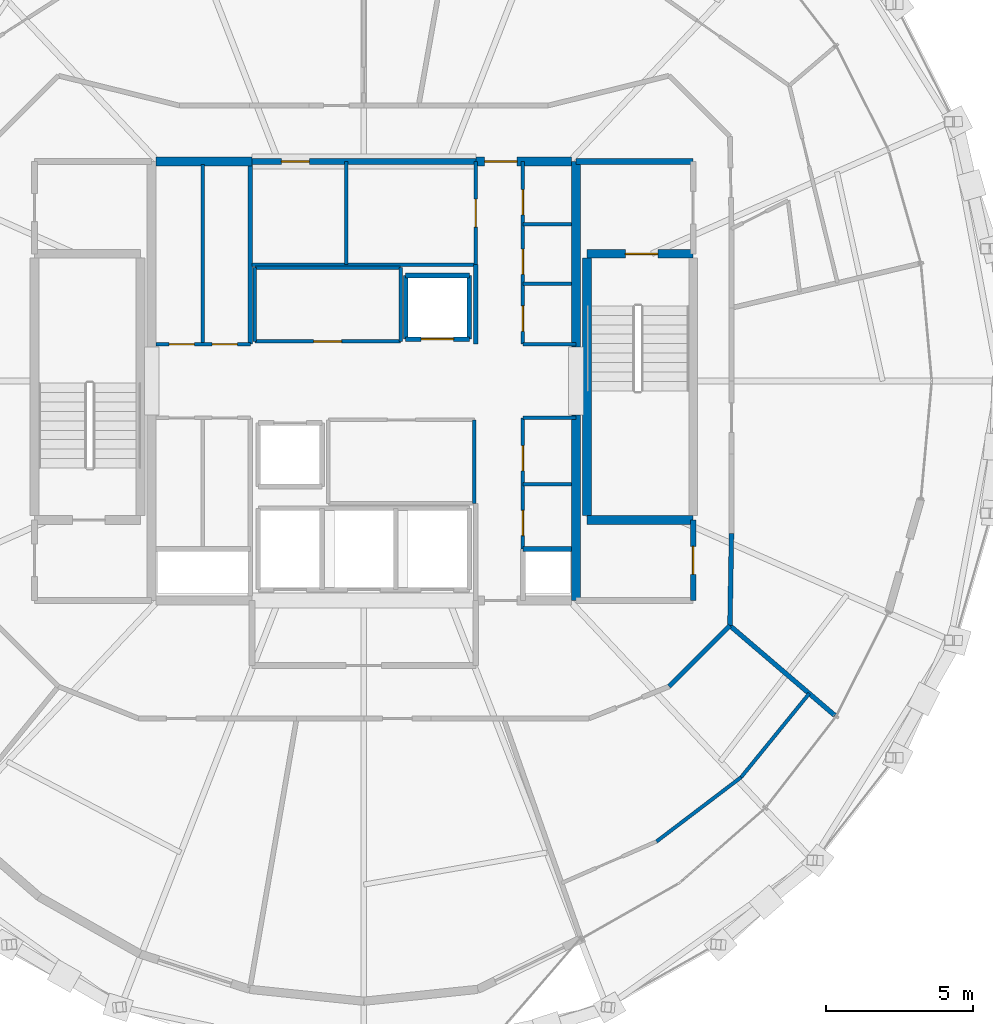
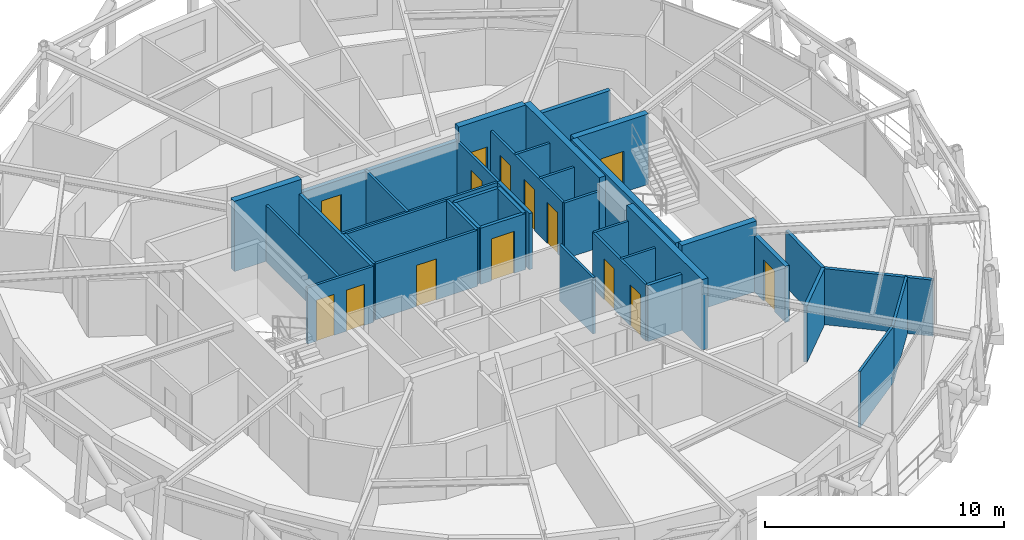
# One storey, part 12 of 15: 39 walls, 14 doors, 14 openings.
"""IFC4 building model written with IfcOpenShell, lengths in metres."""

from ifc_helpers import new_model, si_unit, direction, frame, frame_2d, origin, place, context, subcontext, project, spatial, rectangle, extrude, material, layer, layer_set, type_object, element, fill, save


model = new_model("IFC4")

# Units and contexts
model_context = context("Model", 3, precision=1e-05, world=origin(), true_north=direction((0.0, 1.0)))
body_context = subcontext(model_context, "Body", "Model", "MODEL_VIEW")
ifc_project = project(units=[si_unit("LENGTHUNIT", "METRE"), si_unit("AREAUNIT", "SQUARE_METRE"), si_unit("VOLUMEUNIT", "CUBIC_METRE"), si_unit("PLANEANGLEUNIT", "RADIAN"), si_unit("MASSUNIT", "GRAM", prefix="KILO")], contexts=[model_context])

# Site, building, storey
site_placement = place(None, origin())
site = spatial("IfcSite", under=ifc_project, at=site_placement, CompositionType="ELEMENT")
building_placement = place(site_placement, origin())
building = spatial("IfcBuilding", under=site, at=building_placement, Name="Veldorina Hangang Commons", CompositionType="ELEMENT")
storey_placement = place(building_placement, frame((0.0, 0.0, 265.199951171875)))
storey = spatial("IfcBuildingStorey", under=building, at=storey_placement, Name="L69", CompositionType="ELEMENT", Elevation=265.199951171875)

# Walls
ifc_material_1 = material(Name="Concrete C50/60", Category="concrete")
ifc_layer_1 = layer(ifc_material_1, 0.300048828125)
ifc_layer_set_1 = layer_set([ifc_layer_1], Name="Concrete C50/60")
wall_type_1 = type_object("IfcWallType", Name="CW-RC300-C50", PredefinedType="SHEAR", material=ifc_layer_set_1)
for number, where, z_axis, x_axis, name in (
    (1, (39.199951171875, 16.550048828125, 0.0), (0.0, 0.0, 1.0), (0.0, 1.0, 0.0), "L69 E south core shear wall"),
    (2, (39.199951171875, 25.14990234375, 0.0), (0.0, 0.0, 1.0), (0.0, 1.0, 0.0), "L69 E north core shear wall"),
):
    element("IfcWall", number, at=place(storey_placement, frame(where, z_axis=z_axis, x_axis=x_axis)), inside=storey, type_object=wall_type_1, Name=name, PredefinedType="SHEAR", context=body_context, shape_type="SweptSolid", body=[
        extrude(rectangle(XDim=6.300048828125, YDim=0.300048828125, at=frame_2d((3.14990234375, 0.0))), origin(), (0.0, 0.0, 1.0), 3.60009765625),
    ])
wall_1_placement = place(storey_placement, frame((24.949951171875, 31.449951171875, 0.0), z_axis=(0.0, 0.0, 1.0), x_axis=(1.0, 0.0, 0.0)))
element("IfcWall", 3, at=wall_1_placement, inside=storey, type_object=wall_type_1, Name="L69 north-west core shear wall", PredefinedType="SHEAR", context=body_context, shape_type="SweptSolid", body=[
    extrude(rectangle(XDim=3.25, YDim=0.300048828125, at=frame_2d((1.625, 0.0))), origin(), (0.0, 0.0, 1.0), 3.60009765625),
])

# Wall, opening, door
wall_2_placement = place(storey_placement, frame((35.800048828125, 31.449951171875, 0.0), z_axis=(0.0, 0.0, 1.0), x_axis=(1.0, 0.0, 0.0)))
wall_2 = element("IfcWall", 4, at=wall_2_placement, inside=storey, type_object=wall_type_1, Name="L69 north-east core shear wall", PredefinedType="SHEAR", context=body_context, shape_type="SweptSolid", body=[
    extrude(rectangle(XDim=3.25, YDim=0.300048828125, at=frame_2d((1.625, 0.0))), origin(), (0.0, 0.0, 1.0), 3.60009765625),
])
opening_1_placement = place(wall_2_placement, frame((0.300048828125, 0.0, 0.0)))
opening_1 = element("IfcOpeningElement", 5, at=opening_1_placement, cuts=wall_2, Name="Opening D-08", PredefinedType="OPENING", context=body_context, shape_type="SweptSolid", body=[
    extrude(rectangle(XDim=1.10009765625, YDim=2.10009765625, at=frame_2d((0.550048828125, 1.050048828125))), frame((0.0, 0.16015625, 0.0), z_axis=(0.0, -1.0, 0.0), x_axis=(1.0, 0.0, 0.0)), (0.0, 0.0, 1.0), 0.320068359375),
])
ifc_material_2 = material(Name="Steel Fire-Rated Smoke Seal", Category="steel")
door_type_1 = type_object("IfcDoorType", Name="DR-FIRE-1100", OperationType="SINGLE_SWING_RIGHT", PredefinedType="DOOR", material=ifc_material_2)
door_1_placement = place(opening_1_placement, origin())
door_1 = element("IfcDoor", 6, at=door_1_placement, inside=storey, type_object=door_type_1, Name="L69 central lift lobby north corridor door", OperationType="SINGLE_SWING_LEFT", OverallHeight=2.10009765625, OverallWidth=1.10009765625, PredefinedType="DOOR", context=body_context, shape_type="SweptSolid", body=[
    extrude(rectangle(XDim=1.10009765625, YDim=2.10009765625, at=frame_2d((0.550048828125, 1.050048828125))), frame((0.0, 0.02490234375, 0.0), z_axis=(0.0, -1.0, 0.0), x_axis=(1.0, 0.0, 0.0)), (0.0, 0.0, 1.0), 0.050048828125),
])
fill(opening_1, door_1)

# Walls
ifc_layer_2 = layer(ifc_material_1, 0.300048828125)
ifc_layer_set_2 = layer_set([ifc_layer_2], Name="Concrete C50/60")
wall_type_2 = type_object("IfcWallType", Name="SW-STAIR-300", PredefinedType="SHEAR", material=ifc_layer_set_2)
wall_3_placement = place(storey_placement, frame((39.580078125, 19.429931640625, 0.0), z_axis=(0.0, 0.0, 1.0), x_axis=(0.0, 1.0, 0.0)))
element("IfcWall", 7, at=wall_3_placement, inside=storey, type_object=wall_type_2, Name="L69 ST2 inner stair shear wall", PredefinedType="SHEAR", context=body_context, shape_type="SweptSolid", body=[
    extrude(rectangle(XDim=8.739990234375, YDim=0.300048828125, at=frame_2d((4.3701171875, 0.0))), origin(), (0.0, 0.0, 1.0), 3.60009765625),
])
wall_4_placement = place(storey_placement, frame((39.580078125, 19.280029296875, 0.0), z_axis=(0.0, 0.0, 1.0), x_axis=(1.0, 0.0, 0.0)))
element("IfcWall", 8, at=wall_4_placement, inside=storey, type_object=wall_type_2, Name="L69 ST2 south stair shear wall", PredefinedType="SHEAR", context=body_context, shape_type="SweptSolid", body=[
    extrude(rectangle(XDim=3.599853515625, YDim=0.300048828125, at=frame_2d((1.7998046875, 0.0))), origin(), (0.0, 0.0, 1.0), 3.60009765625),
])

# Wall, opening, door
wall_5_placement = place(storey_placement, frame((39.580078125, 28.320068359375, 0.0), z_axis=(0.0, 0.0, 1.0), x_axis=(1.0, 0.0, 0.0)))
wall_5 = element("IfcWall", 9, at=wall_5_placement, inside=storey, type_object=wall_type_2, Name="L69 ST2 north stair shear wall", PredefinedType="SHEAR", context=body_context, shape_type="SweptSolid", body=[
    extrude(rectangle(XDim=3.599853515625, YDim=0.300048828125, at=frame_2d((1.7998046875, 0.0))), origin(), (0.0, 0.0, 1.0), 3.60009765625),
])
opening_2_placement = place(wall_5_placement, frame((1.300048828125, 0.0, 0.0)))
opening_2 = element("IfcOpeningElement", 10, at=opening_2_placement, cuts=wall_5, Name="Opening D-08", PredefinedType="OPENING", context=body_context, shape_type="SweptSolid", body=[
    extrude(rectangle(XDim=1.10009765625, YDim=2.10009765625, at=frame_2d((0.550048828125, 1.050048828125))), frame((0.0, 0.16015625, 0.0), z_axis=(0.0, -1.0, 0.0), x_axis=(1.0, 0.0, 0.0)), (0.0, 0.0, 1.0), 0.320068359375),
])
door_2_placement = place(opening_2_placement, origin())
door_2 = element("IfcDoor", 11, at=door_2_placement, inside=storey, type_object=door_type_1, Name="L69 Special Escape Stair ST-2 door", OperationType="SINGLE_SWING_RIGHT", OverallHeight=2.10009765625, OverallWidth=1.10009765625, PredefinedType="DOOR", context=body_context, shape_type="SweptSolid", body=[
    extrude(rectangle(XDim=1.10009765625, YDim=2.10009765625, at=frame_2d((0.550048828125, 1.050048828125))), frame((0.0, 0.02490234375, 0.0), z_axis=(0.0, -1.0, 0.0), x_axis=(1.0, 0.0, 0.0)), (0.0, 0.0, 1.0), 0.050048828125),
])
fill(opening_2, door_2)

# Wall
ifc_material_3 = material(Name="Gypsum Fire-Rated Twin Stud Wall", Category="gypsum")
ifc_layer_3 = layer(ifc_material_3, 0.159912109375)
ifc_layer_set_3 = layer_set([ifc_layer_3], Name="Gypsum Fire-Rated Twin Stud Wall")
wall_type_3 = type_object("IfcWallType", Name="WL-FIRE-160", PredefinedType="SOLIDWALL", material=ifc_layer_set_3)
wall_6_placement = place(storey_placement, frame((35.800048828125, 25.25, 0.0), z_axis=(0.0, 0.0, 1.0), x_axis=(0.0, 1.0, 0.0)))
element("IfcWall", 12, at=wall_6_placement, inside=storey, type_object=wall_type_3, Name="L69 Lift passage NW lower wall 011", PredefinedType="SOLIDWALL", context=body_context, shape_type="SweptSolid", body=[
    extrude(rectangle(XDim=2.699951171875, YDim=0.159912109375, at=frame_2d((1.35009765625, 0.0))), origin(), (0.0, 0.0, 1.0), 2.8701171875),
])

# Wall, opening, door
wall_7_placement = place(storey_placement, frame((33.419921875, 25.419921875, 0.0), z_axis=(0.0, 0.0, 1.0), x_axis=(1.0, 0.0, 0.0)))
wall_7 = element("IfcWall", 13, at=wall_7_placement, inside=storey, type_object=wall_type_3, Name="L69 Mid-high front shaft wall 015", PredefinedType="SOLIDWALL", context=body_context, shape_type="SweptSolid", body=[
    extrude(rectangle(XDim=2.16015625, YDim=0.159912109375, at=frame_2d((1.080078125, 0.0))), origin(), (0.0, 0.0, 1.0), 2.8701171875),
])
opening_3_placement = place(wall_7_placement, frame((0.530029296875, 0.0, 0.0)))
opening_3 = element("IfcOpeningElement", 14, at=opening_3_placement, cuts=wall_7, Name="Opening LD-01", PredefinedType="OPENING", context=body_context, shape_type="SweptSolid", body=[
    extrude(rectangle(XDim=1.10009765625, YDim=2.14990234375, at=frame_2d((0.550048828125, 1.074951171875))), frame((0.0, 0.08984375, 0.0), z_axis=(0.0, -1.0, 0.0), x_axis=(1.0, 0.0, 0.0)), (0.0, 0.0, 1.0), 0.179931640625),
])
ifc_material_4 = material(Name="Stainless Steel Brushed Lift Door", Category="steel")
door_type_2 = type_object("IfcDoorType", Name="DR-LIFT-1100", OperationType="SLIDING_TO_LEFT", PredefinedType="DOOR", material=ifc_material_4)
door_3_placement = place(opening_3_placement, origin())
door_3 = element("IfcDoor", 15, at=door_3_placement, inside=storey, type_object=door_type_2, Name="L69 Lift PL-H1 landing door 006", OperationType="SLIDING_TO_RIGHT", OverallHeight=2.14990234375, OverallWidth=1.10009765625, PredefinedType="DOOR", context=body_context, shape_type="SweptSolid", body=[
    extrude(rectangle(XDim=1.10009765625, YDim=2.14990234375, at=frame_2d((0.550048828125, 1.074951171875))), frame((0.0, 0.02490234375, 0.0), z_axis=(0.0, -1.0, 0.0), x_axis=(1.0, 0.0, 0.0)), (0.0, 0.0, 1.0), 0.050048828125),
])
fill(opening_3, door_3)

# Walls
for number, where, z_axis, x_axis, name in (
    (16, (33.419921875, 27.580078125, 0.0), (0.0, 0.0, 1.0), (1.0, 0.0, 0.0), "L69 Mid-high rear shaft wall 016"),
    (17, (33.419921875, 25.419921875, 0.0), (0.0, 0.0, 1.0), (0.0, 1.0, 0.0), "L69 PL-H1 west shaft wall 017"),
    (18, (35.580078125, 25.419921875, 0.0), (0.0, 0.0, 1.0), (0.0, 1.0, 0.0), "L69 PL-H1 east shaft wall 018"),
):
    element("IfcWall", number, at=place(storey_placement, frame(where, z_axis=z_axis, x_axis=x_axis)), inside=storey, type_object=wall_type_3, Name=name, PredefinedType="SOLIDWALL", context=body_context, shape_type="SweptSolid", body=[
        extrude(rectangle(XDim=2.16015625, YDim=0.159912109375, at=frame_2d((1.080078125, 0.0))), origin(), (0.0, 0.0, 1.0), 2.8701171875),
    ])
wall_8_placement = place(storey_placement, frame((37.39990234375, 18.300048828125, 0.0), z_axis=(0.0, 0.0, 1.0), x_axis=(1.0, 0.0, 0.0)))
element("IfcWall", 19, at=wall_8_placement, inside=storey, type_object=wall_type_3, Name="L69 Plumbing riser wall 043", PredefinedType="SOLIDWALL", context=body_context, shape_type="SweptSolid", body=[
    extrude(rectangle(XDim=1.650146484375, YDim=0.159912109375, at=frame_2d((0.8251953125, 0.0))), origin(), (0.0, 0.0, 1.0), 2.8701171875),
])
wall_9_placement = place(storey_placement, frame((28.14990234375, 25.25, 0.0), z_axis=(0.0, 0.0, 1.0), x_axis=(0.0, 1.0, 0.0)))
element("IfcWall", 20, at=wall_9_placement, inside=storey, type_object=wall_type_3, Name="L69 NW core inner wall 044", PredefinedType="SOLIDWALL", context=body_context, shape_type="SweptSolid", body=[
    extrude(rectangle(XDim=6.10009765625, YDim=0.159912109375, at=frame_2d((3.050048828125, 0.0))), origin(), (0.0, 0.0, 1.0), 2.8701171875),
])
wall_10_placement = place(storey_placement, frame((42.364990234375, 13.635009765625, 0.0), z_axis=(0.0, 0.0, 1.0), x_axis=(0.707106781187, 0.707106781187, 0.0)))
element("IfcWall", 21, at=wall_10_placement, inside=storey, type_object=wall_type_3, Name="L69 Compact collar outer wall 28 084", PredefinedType="SOLIDWALL", context=body_context, shape_type="SweptSolid", body=[
    extrude(rectangle(XDim=2.915771484375, YDim=0.159912109375, at=frame_2d((1.4580078125, 0.0))), origin(), (0.0, 0.0, 1.0), 2.8701171875),
])
wall_11_placement = place(storey_placement, frame((44.4267578125, 15.69677734375, 0.0), z_axis=(0.0, 0.0, 1.0), x_axis=(0.016981035134, 0.999855811828, 0.0)))
element("IfcWall", 22, at=wall_11_placement, inside=storey, type_object=wall_type_3, Name="L69 Compact collar outer wall 29 085", PredefinedType="SOLIDWALL", context=body_context, shape_type="SweptSolid", body=[
    extrude(rectangle(XDim=3.13427734375, YDim=0.159912109375, at=frame_2d((1.567138671875, 0.0))), origin(), (0.0, 0.0, 1.0), 2.8701171875),
])
wall_12_placement = place(storey_placement, frame((44.4267578125, 15.69677734375, 0.0), z_axis=(0.0, 0.0, 1.0), x_axis=(0.759954557094, -0.649976208143, 0.0)))
element("IfcWall", 23, at=wall_12_placement, inside=storey, type_object=wall_type_3, Name="L69 Unit party wall 29 088", PredefinedType="SOLIDWALL", context=body_context, shape_type="SweptSolid", body=[
    extrude(rectangle(XDim=4.6884765625, YDim=0.159912109375, at=frame_2d((2.34423828125, 0.0))), origin(), (0.0, 0.0, 1.0), 2.8701171875),
])
ifc_material_5 = material(Name="Concrete Blockwork Fire Wall C30/37", Category="masonry")
ifc_layer_4 = layer(ifc_material_5, 0.199951171875)
ifc_layer_set_4 = layer_set([ifc_layer_4], Name="Concrete Blockwork Fire Wall C30/37")
wall_type_4 = type_object("IfcWallType", Name="WL-FIRE-200", PredefinedType="SOLIDWALL", material=ifc_layer_set_4)
wall_13_placement = place(storey_placement, frame((39.199951171875, 31.449951171875, 0.0), z_axis=(0.0, 0.0, 1.0), x_axis=(1.0, 0.0, 0.0)))
element("IfcWall", 24, at=wall_13_placement, inside=storey, type_object=wall_type_4, Name="L69 East vestibule north wall 004", PredefinedType="SOLIDWALL", context=body_context, shape_type="SweptSolid", body=[
    extrude(rectangle(XDim=3.97998046875, YDim=0.199951171875, at=frame_2d((1.989990234375, 0.0))), origin(), (0.0, 0.0, 1.0), 2.8701171875),
])

# Wall, opening, door
wall_14_placement = place(storey_placement, frame((43.179931640625, 16.550048828125, 0.0), z_axis=(0.0, 0.0, 1.0), x_axis=(0.0, 1.0, 0.0)))
wall_14 = element("IfcWall", 25, at=wall_14_placement, inside=storey, type_object=wall_type_4, Name="L69 SE core room outer wall 007", PredefinedType="SOLIDWALL", context=body_context, shape_type="SweptSolid", body=[
    extrude(rectangle(XDim=2.72998046875, YDim=0.199951171875, at=frame_2d((1.364990234375, 0.0))), origin(), (0.0, 0.0, 1.0), 2.8701171875),
])
opening_4_placement = place(wall_14_placement, frame((0.889892578125, 0.0, 0.0)))
opening_4 = element("IfcOpeningElement", 26, at=opening_4_placement, cuts=wall_14, Name="Opening D-02", PredefinedType="OPENING", context=body_context, shape_type="SweptSolid", body=[
    extrude(rectangle(XDim=0.949951171875, YDim=2.10009765625, at=frame_2d((0.47509765625, 1.050048828125))), frame((0.0, 0.10986328125, 0.0), z_axis=(0.0, -1.0, 0.0), x_axis=(1.0, 0.0, 0.0)), (0.0, 0.0, 1.0), 0.219970703125),
])
ifc_material_6 = material(Name="Timber Solid Core Acoustic", Category="wood")
door_type_3 = type_object("IfcDoorType", Name="DR-INT-950", OperationType="SINGLE_SWING_LEFT", PredefinedType="DOOR", material=ifc_material_6)
door_4_placement = place(opening_4_placement, origin())
door_4 = element("IfcDoor", 27, at=door_4_placement, inside=storey, type_object=door_type_3, Name="L69 SE core WC door 004", OperationType="SINGLE_SWING_RIGHT", OverallHeight=2.10009765625, OverallWidth=0.949951171875, PredefinedType="DOOR", context=body_context, shape_type="SweptSolid", body=[
    extrude(rectangle(XDim=0.949951171875, YDim=2.10009765625, at=frame_2d((0.47509765625, 1.050048828125))), frame((0.0, 0.02490234375, 0.0), z_axis=(0.0, -1.0, 0.0), x_axis=(1.0, 0.0, 0.0)), (0.0, 0.0, 1.0), 0.050048828125),
])
fill(opening_4, door_4)

wall_15_placement = place(storey_placement, frame((28.199951171875, 31.449951171875, 0.0), z_axis=(0.0, 0.0, 1.0), x_axis=(1.0, 0.0, 0.0)))
wall_15 = element("IfcWall", 28, at=wall_15_placement, inside=storey, type_object=wall_type_4, Name="L69 Merged north core wall 029", PredefinedType="SOLIDWALL", context=body_context, shape_type="SweptSolid", body=[
    extrude(rectangle(XDim=7.60009765625, YDim=0.199951171875, at=frame_2d((3.800048828125, 0.0))), origin(), (0.0, 0.0, 1.0), 2.8701171875),
])
opening_5_placement = place(wall_15_placement, frame((1.0, 0.0, 0.0)))
opening_5 = element("IfcOpeningElement", 29, at=opening_5_placement, cuts=wall_15, Name="Opening D-02", PredefinedType="OPENING", context=body_context, shape_type="SweptSolid", body=[
    extrude(rectangle(XDim=0.949951171875, YDim=2.10009765625, at=frame_2d((0.47509765625, 1.050048828125))), frame((0.0, 0.10986328125, 0.0), z_axis=(0.0, -1.0, 0.0), x_axis=(1.0, 0.0, 0.0)), (0.0, 0.0, 1.0), 0.219970703125),
])
door_5_placement = place(opening_5_placement, origin())
door_5 = element("IfcDoor", 30, at=door_5_placement, inside=storey, type_object=door_type_3, Name="L69 Core study alcove door 011", OperationType="SINGLE_SWING_LEFT", OverallHeight=2.10009765625, OverallWidth=0.949951171875, PredefinedType="DOOR", context=body_context, shape_type="SweptSolid", body=[
    extrude(rectangle(XDim=0.949951171875, YDim=2.10009765625, at=frame_2d((0.47509765625, 1.050048828125))), frame((0.0, 0.02490234375, 0.0), z_axis=(0.0, -1.0, 0.0), x_axis=(1.0, 0.0, 0.0)), (0.0, 0.0, 1.0), 0.050048828125),
])
fill(opening_5, door_5)

# Wall
ifc_material_7 = material(Name="Gypsum Acoustic Stud Partition", Category="gypsum")
ifc_layer_5 = layer(ifc_material_7, 0.1201171875)
ifc_layer_set_5 = layer_set([ifc_layer_5], Name="Gypsum Acoustic Stud Partition")
wall_type_5 = type_object("IfcWallType", Name="WL-PART-120", PredefinedType="PARTITIONING", material=ifc_layer_set_5)
wall_16_placement = place(storey_placement, frame((28.199951171875, 27.949951171875, 0.0), z_axis=(0.0, 0.0, 1.0), x_axis=(1.0, 0.0, 0.0)))
element("IfcWall", 31, at=wall_16_placement, inside=storey, type_object=wall_type_5, Name="L69 Merged north south wall 030", PredefinedType="PARTITIONING", context=body_context, shape_type="SweptSolid", body=[
    extrude(rectangle(XDim=7.60009765625, YDim=0.1201171875, at=frame_2d((3.800048828125, 0.0))), origin(), (0.0, 0.0, 1.0), 2.8701171875),
])

# Wall, opening, door
wall_17_placement = place(storey_placement, frame((35.800048828125, 27.949951171875, 0.0), z_axis=(0.0, 0.0, 1.0), x_axis=(0.0, 1.0, 0.0)))
wall_17 = element("IfcWall", 32, at=wall_17_placement, inside=storey, type_object=wall_type_5, Name="L69 Merged north east wall 031", PredefinedType="PARTITIONING", context=body_context, shape_type="SweptSolid", body=[
    extrude(rectangle(XDim=3.5, YDim=0.1201171875, at=frame_2d((1.75, 0.0))), origin(), (0.0, 0.0, 1.0), 2.8701171875),
])
opening_6_placement = place(wall_17_placement, frame((1.27490234375, 0.0, 0.0)))
opening_6 = element("IfcOpeningElement", 33, at=opening_6_placement, cuts=wall_17, Name="Opening D-02", PredefinedType="OPENING", context=body_context, shape_type="SweptSolid", body=[
    extrude(rectangle(XDim=0.949951171875, YDim=2.10009765625, at=frame_2d((0.47509765625, 1.050048828125))), frame((0.0, 0.070068359375, 0.0), z_axis=(0.0, -1.0, 0.0), x_axis=(1.0, 0.0, 0.0)), (0.0, 0.0, 1.0), 0.14013671875),
])
door_6_placement = place(opening_6_placement, origin())
door_6 = element("IfcDoor", 34, at=door_6_placement, inside=storey, type_object=door_type_3, Name="L69 Core linen store door 012", OperationType="SINGLE_SWING_RIGHT", OverallHeight=2.10009765625, OverallWidth=0.949951171875, PredefinedType="DOOR", context=body_context, shape_type="SweptSolid", body=[
    extrude(rectangle(XDim=0.949951171875, YDim=2.10009765625, at=frame_2d((0.47509765625, 1.050048828125))), frame((0.0, 0.02490234375, 0.0), z_axis=(0.0, -1.0, 0.0), x_axis=(1.0, 0.0, 0.0)), (0.0, 0.0, 1.0), 0.050048828125),
])
fill(opening_6, door_6)

# Wall
wall_18_placement = place(storey_placement, frame((31.39990234375, 27.949951171875, 0.0), z_axis=(0.0, 0.0, 1.0), x_axis=(0.0, 1.0, 0.0)))
element("IfcWall", 35, at=wall_18_placement, inside=storey, type_object=wall_type_5, Name="L69 Merged north split wall 032", PredefinedType="PARTITIONING", context=body_context, shape_type="SweptSolid", body=[
    extrude(rectangle(XDim=3.5, YDim=0.1201171875, at=frame_2d((1.75, 0.0))), origin(), (0.0, 0.0, 1.0), 2.8701171875),
])

# Wall, opening, door
wall_19_placement = place(storey_placement, frame((28.300048828125, 25.35009765625, 0.0), z_axis=(0.0, 0.0, 1.0), x_axis=(1.0, 0.0, 0.0)))
wall_19 = element("IfcWall", 36, at=wall_19_placement, inside=storey, type_object=wall_type_5, Name="L69 Merged mid-bank south wall 033", PredefinedType="PARTITIONING", context=body_context, shape_type="SweptSolid", body=[
    extrude(rectangle(XDim=4.949951171875, YDim=0.1201171875, at=frame_2d((2.47509765625, 0.0))), origin(), (0.0, 0.0, 1.0), 2.8701171875),
])
opening_7_placement = place(wall_19_placement, frame((2.0, 0.0, 0.0)))
opening_7 = element("IfcOpeningElement", 37, at=opening_7_placement, cuts=wall_19, Name="Opening D-02", PredefinedType="OPENING", context=body_context, shape_type="SweptSolid", body=[
    extrude(rectangle(XDim=0.949951171875, YDim=2.10009765625, at=frame_2d((0.47509765625, 1.050048828125))), frame((0.0, 0.070068359375, 0.0), z_axis=(0.0, -1.0, 0.0), x_axis=(1.0, 0.0, 0.0)), (0.0, 0.0, 1.0), 0.14013671875),
])
door_7_placement = place(opening_7_placement, origin())
door_7 = element("IfcDoor", 38, at=door_7_placement, inside=storey, type_object=door_type_3, Name="L69 Quiet study room door 013", OperationType="SINGLE_SWING_LEFT", OverallHeight=2.10009765625, OverallWidth=0.949951171875, PredefinedType="DOOR", context=body_context, shape_type="SweptSolid", body=[
    extrude(rectangle(XDim=0.949951171875, YDim=2.10009765625, at=frame_2d((0.47509765625, 1.050048828125))), frame((0.0, 0.02490234375, 0.0), z_axis=(0.0, -1.0, 0.0), x_axis=(1.0, 0.0, 0.0)), (0.0, 0.0, 1.0), 0.050048828125),
])
fill(opening_7, door_7)

# Walls
wall_20_placement = place(storey_placement, frame((28.300048828125, 27.85009765625, 0.0), z_axis=(0.0, 0.0, 1.0), x_axis=(1.0, 0.0, 0.0)))
element("IfcWall", 39, at=wall_20_placement, inside=storey, type_object=wall_type_5, Name="L69 Merged mid-bank north wall 034", PredefinedType="PARTITIONING", context=body_context, shape_type="SweptSolid", body=[
    extrude(rectangle(XDim=4.949951171875, YDim=0.1201171875, at=frame_2d((2.47509765625, 0.0))), origin(), (0.0, 0.0, 1.0), 2.8701171875),
])
for number, where, z_axis, x_axis, name in (
    (40, (28.300048828125, 25.35009765625, 0.0), (0.0, 0.0, 1.0), (0.0, 1.0, 0.0), "L69 Merged mid-bank west wall 035"),
    (41, (33.25, 25.35009765625, 0.0), (0.0, 0.0, 1.0), (0.0, 1.0, 0.0), "L69 Merged mid-bank east wall 036"),
):
    element("IfcWall", number, at=place(storey_placement, frame(where, z_axis=z_axis, x_axis=x_axis)), inside=storey, type_object=wall_type_5, Name=name, PredefinedType="PARTITIONING", context=body_context, shape_type="SweptSolid", body=[
        extrude(rectangle(XDim=2.5, YDim=0.1201171875, at=frame_2d((1.25, 0.0))), origin(), (0.0, 0.0, 1.0), 2.8701171875),
    ])
wall_21_placement = place(storey_placement, frame((35.75, 19.85009765625, 0.0), z_axis=(0.0, 0.0, 1.0), x_axis=(0.0, 1.0, 0.0)))
element("IfcWall", 42, at=wall_21_placement, inside=storey, type_object=wall_type_5, Name="L69 Merged shuttle east wall 040", PredefinedType="PARTITIONING", context=body_context, shape_type="SweptSolid", body=[
    extrude(rectangle(XDim=2.829833984375, YDim=0.1201171875, at=frame_2d((1.4150390625, 0.0))), origin(), (0.0, 0.0, 1.0), 2.8701171875),
])

# Wall, openings, doors
wall_22_placement = place(storey_placement, frame((24.949951171875, 25.25, 0.0), z_axis=(0.0, 0.0, 1.0), x_axis=(1.0, 0.0, 0.0)))
wall_22 = element("IfcWall", 43, at=wall_22_placement, inside=storey, type_object=wall_type_5, Name="L69 NW service south wall 045", PredefinedType="PARTITIONING", context=body_context, shape_type="SweptSolid", body=[
    extrude(rectangle(XDim=3.199951171875, YDim=0.1201171875, at=frame_2d((1.60009765625, 0.0))), origin(), (0.0, 0.0, 1.0), 2.8701171875),
])
opening_8_placement = place(wall_22_placement, frame((0.43994140625, 0.0, 0.0)))
opening_8 = element("IfcOpeningElement", 44, at=opening_8_placement, cuts=wall_22, Name="Opening D-01", PredefinedType="OPENING", context=body_context, shape_type="SweptSolid", body=[
    extrude(rectangle(XDim=0.860107421875, YDim=2.10009765625, at=frame_2d((0.43017578125, 1.050048828125))), frame((0.0, 0.070068359375, 0.0), z_axis=(0.0, -1.0, 0.0), x_axis=(1.0, 0.0, 0.0)), (0.0, 0.0, 1.0), 0.14013671875),
])
opening_9_placement = place(wall_22_placement, frame((1.89990234375, 0.0, 0.0)))
opening_9 = element("IfcOpeningElement", 45, at=opening_9_placement, cuts=wall_22, Name="Opening D-01", PredefinedType="OPENING", context=body_context, shape_type="SweptSolid", body=[
    extrude(rectangle(XDim=0.860107421875, YDim=2.10009765625, at=frame_2d((0.43017578125, 1.050048828125))), frame((0.0, 0.070068359375, 0.0), z_axis=(0.0, -1.0, 0.0), x_axis=(1.0, 0.0, 0.0)), (0.0, 0.0, 1.0), 0.14013671875),
])
ifc_material_8 = material(Name="Timber Moisture-Resistant Core", Category="wood")
door_type_4 = type_object("IfcDoorType", Name="DR-WET-860", OperationType="SINGLE_SWING_LEFT", PredefinedType="DOOR", material=ifc_material_8)
door_8_placement = place(opening_8_placement, origin())
door_8 = element("IfcDoor", 46, at=door_8_placement, inside=storey, type_object=door_type_4, Name="L69 Linen west door 015", OperationType="SINGLE_SWING_LEFT", OverallHeight=2.10009765625, OverallWidth=0.860107421875, PredefinedType="DOOR", context=body_context, shape_type="SweptSolid", body=[
    extrude(rectangle(XDim=0.860107421875, YDim=2.10009765625, at=frame_2d((0.43017578125, 1.050048828125))), frame((0.0, 0.02490234375, 0.0), z_axis=(0.0, -1.0, 0.0), x_axis=(1.0, 0.0, 0.0)), (0.0, 0.0, 1.0), 0.050048828125),
])
fill(opening_8, door_8)
door_9_placement = place(opening_9_placement, origin())
door_9 = element("IfcDoor", 47, at=door_9_placement, inside=storey, type_object=door_type_4, Name="L69 Data closet door 016", OperationType="SINGLE_SWING_RIGHT", OverallHeight=2.10009765625, OverallWidth=0.860107421875, PredefinedType="DOOR", context=body_context, shape_type="SweptSolid", body=[
    extrude(rectangle(XDim=0.860107421875, YDim=2.10009765625, at=frame_2d((0.43017578125, 1.050048828125))), frame((0.0, 0.02490234375, 0.0), z_axis=(0.0, -1.0, 0.0), x_axis=(1.0, 0.0, 0.0)), (0.0, 0.0, 1.0), 0.050048828125),
])
fill(opening_9, door_9)

wall_23_placement = place(storey_placement, frame((37.39990234375, 25.25, 0.0), z_axis=(0.0, 0.0, 1.0), x_axis=(0.0, 1.0, 0.0)))
wall_23 = element("IfcWall", 48, at=wall_23_placement, inside=storey, type_object=wall_type_5, Name="L69 NE strip lobby wall 047", PredefinedType="PARTITIONING", context=body_context, shape_type="SweptSolid", body=[
    extrude(rectangle(XDim=6.199951171875, YDim=0.1201171875, at=frame_2d((3.10009765625, 0.0))), origin(), (0.0, 0.0, 1.0), 2.8701171875),
])
opening_10_placement = place(wall_23_placement, frame((0.43994140625, 0.0, 0.0)))
opening_10 = element("IfcOpeningElement", 49, at=opening_10_placement, cuts=wall_23, Name="Opening D-01", PredefinedType="OPENING", context=body_context, shape_type="SweptSolid", body=[
    extrude(rectangle(XDim=0.860107421875, YDim=2.10009765625, at=frame_2d((0.43017578125, 1.050048828125))), frame((0.0, 0.070068359375, 0.0), z_axis=(0.0, -1.0, 0.0), x_axis=(1.0, 0.0, 0.0)), (0.0, 0.0, 1.0), 0.14013671875),
])
opening_11_placement = place(wall_23_placement, frame((2.3701171875, 0.0, 0.0)))
opening_11 = element("IfcOpeningElement", 50, at=opening_11_placement, cuts=wall_23, Name="Opening D-01", PredefinedType="OPENING", context=body_context, shape_type="SweptSolid", body=[
    extrude(rectangle(XDim=0.860107421875, YDim=2.10009765625, at=frame_2d((0.43017578125, 1.050048828125))), frame((0.0, 0.070068359375, 0.0), z_axis=(0.0, -1.0, 0.0), x_axis=(1.0, 0.0, 0.0)), (0.0, 0.0, 1.0), 0.14013671875),
])
opening_12_placement = place(wall_23_placement, frame((4.389892578125, 0.0, 0.0)))
opening_12 = element("IfcOpeningElement", 51, at=opening_12_placement, cuts=wall_23, Name="Opening D-01", PredefinedType="OPENING", context=body_context, shape_type="SweptSolid", body=[
    extrude(rectangle(XDim=0.860107421875, YDim=2.10009765625, at=frame_2d((0.43017578125, 1.050048828125))), frame((0.0, 0.070068359375, 0.0), z_axis=(0.0, -1.0, 0.0), x_axis=(1.0, 0.0, 0.0)), (0.0, 0.0, 1.0), 0.14013671875),
])
door_10_placement = place(opening_10_placement, origin())
door_10 = element("IfcDoor", 52, at=door_10_placement, inside=storey, type_object=door_type_4, Name="L69 Fiber Riser Closet door 019", OperationType="SINGLE_SWING_LEFT", OverallHeight=2.10009765625, OverallWidth=0.860107421875, PredefinedType="DOOR", context=body_context, shape_type="SweptSolid", body=[
    extrude(rectangle(XDim=0.860107421875, YDim=2.10009765625, at=frame_2d((0.43017578125, 1.050048828125))), frame((0.0, 0.02490234375, 0.0), z_axis=(0.0, -1.0, 0.0), x_axis=(1.0, 0.0, 0.0)), (0.0, 0.0, 1.0), 0.050048828125),
])
fill(opening_10, door_10)
door_11_placement = place(opening_11_placement, origin())
door_11 = element("IfcDoor", 53, at=door_11_placement, inside=storey, type_object=door_type_4, Name="L69 AV Rack Closet door 020", OperationType="SINGLE_SWING_RIGHT", OverallHeight=2.10009765625, OverallWidth=0.860107421875, PredefinedType="DOOR", context=body_context, shape_type="SweptSolid", body=[
    extrude(rectangle(XDim=0.860107421875, YDim=2.10009765625, at=frame_2d((0.43017578125, 1.050048828125))), frame((0.0, 0.02490234375, 0.0), z_axis=(0.0, -1.0, 0.0), x_axis=(1.0, 0.0, 0.0)), (0.0, 0.0, 1.0), 0.050048828125),
])
fill(opening_11, door_11)
door_12_placement = place(opening_12_placement, origin())
door_12 = element("IfcDoor", 54, at=door_12_placement, inside=storey, type_object=door_type_4, Name="L69 Supply Closet door 021", OperationType="SINGLE_SWING_LEFT", OverallHeight=2.10009765625, OverallWidth=0.860107421875, PredefinedType="DOOR", context=body_context, shape_type="SweptSolid", body=[
    extrude(rectangle(XDim=0.860107421875, YDim=2.10009765625, at=frame_2d((0.43017578125, 1.050048828125))), frame((0.0, 0.02490234375, 0.0), z_axis=(0.0, -1.0, 0.0), x_axis=(1.0, 0.0, 0.0)), (0.0, 0.0, 1.0), 0.050048828125),
])
fill(opening_12, door_12)

# Wall
wall_24_placement = place(storey_placement, frame((37.39990234375, 25.25, 0.0), z_axis=(0.0, 0.0, 1.0), x_axis=(1.0, 0.0, 0.0)))
element("IfcWall", 55, at=wall_24_placement, inside=storey, type_object=wall_type_5, Name="L69 NE strip south return wall 048", PredefinedType="PARTITIONING", context=body_context, shape_type="SweptSolid", body=[
    extrude(rectangle(XDim=1.800048828125, YDim=0.1201171875, at=frame_2d((0.89990234375, 0.0))), origin(), (0.0, 0.0, 1.0), 2.8701171875),
])

# Wall, openings, doors
wall_25_placement = place(storey_placement, frame((37.39990234375, 18.300048828125, 0.0), z_axis=(0.0, 0.0, 1.0), x_axis=(0.0, 1.0, 0.0)))
wall_25 = element("IfcWall", 56, at=wall_25_placement, inside=storey, type_object=wall_type_5, Name="L69 SE strip lobby wall 049", PredefinedType="PARTITIONING", context=body_context, shape_type="SweptSolid", body=[
    extrude(rectangle(XDim=4.449951171875, YDim=0.1201171875, at=frame_2d((2.22509765625, 0.0))), origin(), (0.0, 0.0, 1.0), 2.8701171875),
])
opening_13_placement = place(wall_25_placement, frame((0.449951171875, 0.0, 0.0)))
opening_13 = element("IfcOpeningElement", 57, at=opening_13_placement, cuts=wall_25, Name="Opening D-01", PredefinedType="OPENING", context=body_context, shape_type="SweptSolid", body=[
    extrude(rectangle(XDim=0.860107421875, YDim=2.10009765625, at=frame_2d((0.43017578125, 1.050048828125))), frame((0.0, 0.070068359375, 0.0), z_axis=(0.0, -1.0, 0.0), x_axis=(1.0, 0.0, 0.0)), (0.0, 0.0, 1.0), 0.14013671875),
])
opening_14_placement = place(wall_25_placement, frame((2.64990234375, 0.0, 0.0)))
opening_14 = element("IfcOpeningElement", 58, at=opening_14_placement, cuts=wall_25, Name="Opening D-01", PredefinedType="OPENING", context=body_context, shape_type="SweptSolid", body=[
    extrude(rectangle(XDim=0.860107421875, YDim=2.10009765625, at=frame_2d((0.43017578125, 1.050048828125))), frame((0.0, 0.070068359375, 0.0), z_axis=(0.0, -1.0, 0.0), x_axis=(1.0, 0.0, 0.0)), (0.0, 0.0, 1.0), 0.14013671875),
])
door_13_placement = place(opening_13_placement, origin())
door_13 = element("IfcDoor", 59, at=door_13_placement, inside=storey, type_object=door_type_4, Name="L69 Janitor sink door 022", OperationType="SINGLE_SWING_RIGHT", OverallHeight=2.10009765625, OverallWidth=0.860107421875, PredefinedType="DOOR", context=body_context, shape_type="SweptSolid", body=[
    extrude(rectangle(XDim=0.860107421875, YDim=2.10009765625, at=frame_2d((0.43017578125, 1.050048828125))), frame((0.0, 0.02490234375, 0.0), z_axis=(0.0, -1.0, 0.0), x_axis=(1.0, 0.0, 0.0)), (0.0, 0.0, 1.0), 0.050048828125),
])
fill(opening_13, door_13)
door_14_placement = place(opening_14_placement, origin())
door_14 = element("IfcDoor", 60, at=door_14_placement, inside=storey, type_object=door_type_4, Name="L69 Fire panel door 023", OperationType="SINGLE_SWING_LEFT", OverallHeight=2.10009765625, OverallWidth=0.860107421875, PredefinedType="DOOR", context=body_context, shape_type="SweptSolid", body=[
    extrude(rectangle(XDim=0.860107421875, YDim=2.10009765625, at=frame_2d((0.43017578125, 1.050048828125))), frame((0.0, 0.02490234375, 0.0), z_axis=(0.0, -1.0, 0.0), x_axis=(1.0, 0.0, 0.0)), (0.0, 0.0, 1.0), 0.050048828125),
])
fill(opening_14, door_14)

# Walls
wall_26_placement = place(storey_placement, frame((37.39990234375, 22.75, 0.0), z_axis=(0.0, 0.0, 1.0), x_axis=(1.0, 0.0, 0.0)))
element("IfcWall", 61, at=wall_26_placement, inside=storey, type_object=wall_type_5, Name="L69 SE strip north return wall 050", PredefinedType="PARTITIONING", context=body_context, shape_type="SweptSolid", body=[
    extrude(rectangle(XDim=1.800048828125, YDim=0.1201171875, at=frame_2d((0.89990234375, 0.0))), origin(), (0.0, 0.0, 1.0), 2.8701171875),
])
wall_27_placement = place(storey_placement, frame((26.530029296875, 25.25, 0.0), z_axis=(0.0, 0.0, 1.0), x_axis=(0.0, 1.0, 0.0)))
element("IfcWall", 62, at=wall_27_placement, inside=storey, type_object=wall_type_5, Name="L69 NW vertical split 051", PredefinedType="PARTITIONING", context=body_context, shape_type="SweptSolid", body=[
    extrude(rectangle(XDim=6.10009765625, YDim=0.1201171875, at=frame_2d((3.050048828125, 0.0))), origin(), (0.0, 0.0, 1.0), 2.8701171875),
])
for number, where, z_axis, x_axis, name in (
    (63, (37.39990234375, 27.300048828125, 0.0), (0.0, 0.0, 1.0), (1.0, 0.0, 0.0), "L69 NE split 1 053"),
    (64, (37.39990234375, 29.330078125, 0.0), (0.0, 0.0, 1.0), (1.0, 0.0, 0.0), "L69 NE split 2 054"),
    (65, (37.39990234375, 20.5, 0.0), (0.0, 0.0, 1.0), (1.0, 0.0, 0.0), "L69 SE horizontal split 055"),
):
    element("IfcWall", number, at=place(storey_placement, frame(where, z_axis=z_axis, x_axis=x_axis)), inside=storey, type_object=wall_type_5, Name=name, PredefinedType="PARTITIONING", context=body_context, shape_type="SweptSolid", body=[
        extrude(rectangle(XDim=1.650146484375, YDim=0.1201171875, at=frame_2d((0.8251953125, 0.0))), origin(), (0.0, 0.0, 1.0), 2.8701171875),
    ])
wall_28_placement = place(storey_placement, frame((41.93701171875, 8.37451171875, 0.0), z_axis=(0.0, 0.0, 1.0), x_axis=(0.796382845292, 0.604792827111, 0.0)))
element("IfcWall", 66, at=wall_28_placement, inside=storey, type_object=wall_type_5, Name="L69 Laundry split 1 115", PredefinedType="PARTITIONING", context=body_context, shape_type="SweptSolid", body=[
    extrude(rectangle(XDim=3.602294921875, YDim=0.1201171875, at=frame_2d((1.80126953125, 0.0))), origin(), (0.0, 0.0, 1.0), 2.8701171875),
])
wall_29_placement = place(storey_placement, frame((44.805908203125, 10.55322265625, 0.0), z_axis=(0.0, 0.0, 1.0), x_axis=(0.63123970245, 0.775587801638, 0.0)))
element("IfcWall", 67, at=wall_29_placement, inside=storey, type_object=wall_type_5, Name="L69 Laundry split 2 116", PredefinedType="PARTITIONING", context=body_context, shape_type="SweptSolid", body=[
    extrude(rectangle(XDim=3.663330078125, YDim=0.1201171875, at=frame_2d((1.83154296875, 0.0))), origin(), (0.0, 0.0, 1.0), 2.8701171875),
])

save(model, "model.ifc")
